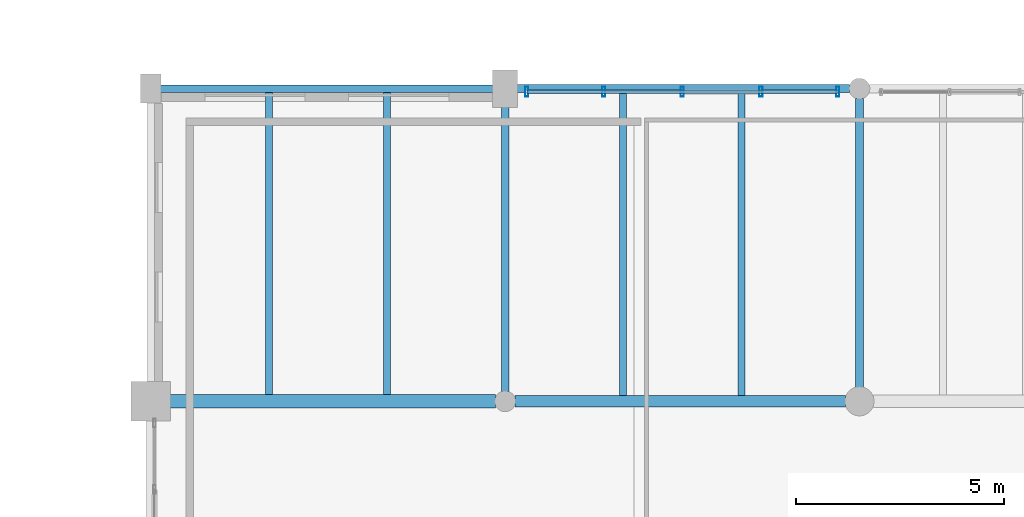
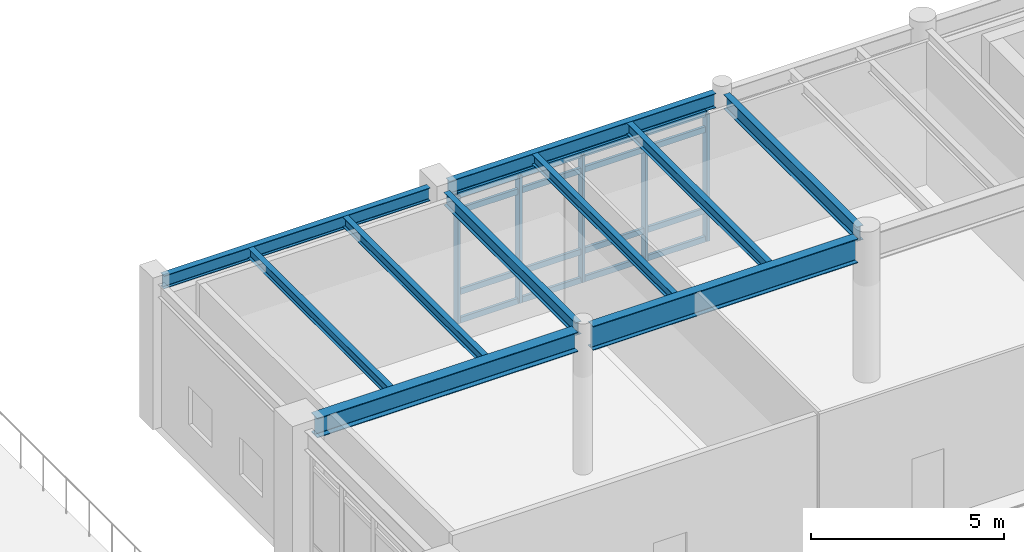
# One storey, part 128 of 200: 10 beams, 9 members, 1 element without a shape of its own.
"""IFC4 building model written with IfcOpenShell, lengths in metres."""

from ifc_helpers import new_model, si_unit, direction, frame, origin, origin_2d, place, context, subcontext, project, spatial, hollow_rectangle, i_section, extrude, material, material_profile, profile_set, type_object, element, aggregate, save


model = new_model("IFC4")

# Units and contexts
model_context = context("Model", 3, precision=1e-05, world=origin(), true_north=direction((0.0, 1.0)))
body_context = subcontext(model_context, "Body", "Model", "MODEL_VIEW")
ifc_project = project(units=[si_unit("LENGTHUNIT", "METRE"), si_unit("AREAUNIT", "SQUARE_METRE"), si_unit("VOLUMEUNIT", "CUBIC_METRE"), si_unit("PLANEANGLEUNIT", "RADIAN"), si_unit("MASSUNIT", "GRAM", prefix="KILO"), si_unit("THERMODYNAMICTEMPERATUREUNIT", "KELVIN"), si_unit("POWERUNIT", "WATT")], contexts=[model_context])

# Site, building, storey
site_placement = place(None, origin())
site = spatial("IfcSite", under=ifc_project, at=site_placement, CompositionType="ELEMENT")
building_placement = place(site_placement, origin())
building = spatial("IfcBuilding", under=site, at=building_placement, Name="Tepalcoro Natatorium and Aquatics Centre", CompositionType="ELEMENT")
storey_placement = place(building_placement, frame((0.0, 0.0, 5.39990234375)))
storey = spatial("IfcBuildingStorey", under=building, at=storey_placement, Name="L01", CompositionType="ELEMENT", Elevation=5.39990234375)

# Beams
ifc_material_1 = material(Name="Steel ASTM A992 Grade 50 (Fy 345 MPa)", Category="steel")
ifc_material_profile_1 = material_profile(ifc_material_1, i_section(OverallWidth=0.177978515625, OverallDepth=0.406005859375, WebThickness=0.008056640625, FlangeThickness=0.012939453125, FilletRadius=0.013916015625, at=origin_2d()), Name="W16X40")
ifc_profile_set_1 = profile_set([ifc_material_profile_1], Name="Steel ASTM A992 Grade 50 (Fy 345 MPa)")
beam_type_1 = type_object("IfcBeamType", Name="BM_W16x40", PredefinedType="BEAM", material=ifc_profile_set_1)
beam_1_placement = place(storey_placement, frame((150.5, 51.735107421875, 4.342041015625), z_axis=(0.0, 1.0, 0.0), x_axis=(-1.0, 0.0, 0.0)))
element("IfcBeam", 1, at=beam_1_placement, inside=storey, type_object=beam_type_1, Name="V2 L01 Grid Girder Y", PredefinedType="BEAM", context=body_context, shape_type="SweptSolid", body=[
    extrude(i_section(OverallWidth=0.177978515625, OverallDepth=0.406005859375, WebThickness=0.008056640625, FlangeThickness=0.012939453125, FilletRadius=0.013916015625, at=origin_2d()), origin(), (0.0, 0.0, 1.0), 6.829833984375),
])
ifc_material_profile_2 = material_profile(ifc_material_1, i_section(OverallWidth=0.19091796875, OverallDepth=0.45703125, WebThickness=0.009033203125, FlangeThickness=0.013916015625, FilletRadius=0.013916015625, at=origin_2d()), Name="W18X50")
ifc_profile_set_2 = profile_set([ifc_material_profile_2], Name="Steel ASTM A992 Grade 50 (Fy 345 MPa)")
beam_type_2 = type_object("IfcBeamType", Name="BM_W18x50", PredefinedType="BEAM", material=ifc_profile_set_2)
beam_2_placement = place(storey_placement, frame((159.0, 51.8349609375, 4.316650390625), z_axis=(0.0, 1.0, 0.0), x_axis=(-1.0, 0.0, 0.0)))
element("IfcBeam", 2, at=beam_2_placement, inside=storey, type_object=beam_type_2, Name="V2 L01 Grid Girder Y", PredefinedType="BEAM", context=body_context, shape_type="SweptSolid", body=[
    extrude(i_section(OverallWidth=0.19091796875, OverallDepth=0.45703125, WebThickness=0.009033203125, FlangeThickness=0.013916015625, FilletRadius=0.013916015625, at=origin_2d()), origin(), (0.0, 0.0, 1.0), 6.929931640625),
])
ifc_material_profile_3 = material_profile(ifc_material_1, i_section(OverallWidth=0.324951171875, OverallDepth=0.616943359375, WebThickness=0.013916015625, FlangeThickness=0.02197265625, FilletRadius=0.013916015625, at=origin_2d()), Name="W24X117")
ifc_profile_set_3 = profile_set([ifc_material_profile_3], Name="Steel ASTM A992 Grade 50 (Fy 345 MPa)")
beam_type_3 = type_object("IfcBeamType", Name="BM_W24x117", PredefinedType="BEAM", material=ifc_profile_set_3)
beam_3_placement = place(storey_placement, frame((142.4599609375, 51.5, 4.236572265625), z_axis=(1.0, 0.0, 0.0), x_axis=(0.0, 1.0, 0.0)))
element("IfcBeam", 3, at=beam_3_placement, inside=storey, type_object=beam_type_3, Name="V2 L01 Grid Girder X", PredefinedType="BEAM", context=body_context, shape_type="SweptSolid", body=[
    extrude(i_section(OverallWidth=0.324951171875, OverallDepth=0.616943359375, WebThickness=0.013916015625, FlangeThickness=0.02197265625, FilletRadius=0.013916015625, at=origin_2d()), origin(), (0.0, 0.0, 1.0), 7.804931640625),
])
ifc_material_profile_4 = material_profile(ifc_material_1, i_section(OverallWidth=0.26708984375, OverallDepth=0.761962890625, WebThickness=0.013916015625, FlangeThickness=0.02197265625, FilletRadius=0.013916015625, at=origin_2d()), Name="W30X116")
ifc_profile_set_4 = profile_set([ifc_material_profile_4], Name="Steel ASTM A992 Grade 50 (Fy 345 MPa)")
beam_type_4 = type_object("IfcBeamType", Name="BM_W30x116", PredefinedType="BEAM", material=ifc_profile_set_4)
beam_4_placement = place(storey_placement, frame((150.735107421875, 51.5, 4.1640625), z_axis=(1.0, 0.0, 0.0), x_axis=(0.0, 1.0, 0.0)))
element("IfcBeam", 4, at=beam_4_placement, inside=storey, type_object=beam_type_4, Name="V2 L01 Grid Girder X", PredefinedType="BEAM", context=body_context, shape_type="SweptSolid", body=[
    extrude(i_section(OverallWidth=0.26708984375, OverallDepth=0.761962890625, WebThickness=0.013916015625, FlangeThickness=0.02197265625, FilletRadius=0.013916015625, at=origin_2d()), origin(), (0.0, 0.0, 1.0), 7.929931640625),
])

# Curtain wall, members
ifc_material_2 = material(Name="Bronze-Anodised Extruded Aluminium Alloy EN AW-6063 T6", Category="aluminium")
curtain_wall_type = type_object("IfcCurtainWallType", Name="CW_LEAN_T1_EW", PredefinedType="USERDEFINED", material=ifc_material_2)
curtain_wall_placement = place(storey_placement, origin())
curtain_wall = element("IfcCurtainWall", 5, at=curtain_wall_placement, inside=storey, type_object=curtain_wall_type, Name="V2 L01 N Unitised Curtain Wall Bay 2", ObjectType="FACETED SOLAR GLAZING", PredefinedType="USERDEFINED")
ifc_material_profile_5 = material_profile(ifc_material_2, hollow_rectangle(XDim=0.080078125, YDim=0.239990234375, WallThickness=0.0048828125, at=origin_2d()), Name="AL80X240X5")
ifc_profile_set_5 = profile_set([ifc_material_profile_5], Name="Bronze-Anodised Extruded Aluminium Alloy EN AW-6063 T6")
member_type_1 = type_object("IfcMemberType", Name="CW_MUL_80x240", PredefinedType="MULLION", material=ifc_profile_set_5)
member_1_placement = place(storey_placement, frame((151.02001953125, 58.9287109375, 0.02001953125), z_axis=(0.0, 0.0, 1.0), x_axis=(1.0, 0.0, 0.0)))
member_1 = element("IfcMember", 6, at=member_1_placement, type_object=member_type_1, Name="CW_LEAN_T1_EW Curtain Wall Mullion", PredefinedType="MULLION", context=body_context, shape_type="SweptSolid", body=[
    extrude(hollow_rectangle(XDim=0.080078125, YDim=0.239990234375, WallThickness=0.0048828125, at=origin_2d()), origin(), (0.0, 0.0, 1.0), 4.030029296875),
])
member_2_placement = place(storey_placement, frame((152.864990234375, 58.9287109375, 0.02001953125), z_axis=(0.0, 0.0, 1.0), x_axis=(1.0, 0.0, 0.0)))
member_2 = element("IfcMember", 7, at=member_2_placement, type_object=member_type_1, Name="CW_LEAN_T1_EW Curtain Wall Mullion", PredefinedType="MULLION", context=body_context, shape_type="SweptSolid", body=[
    extrude(hollow_rectangle(XDim=0.080078125, YDim=0.239990234375, WallThickness=0.0048828125, at=origin_2d()), origin(), (0.0, 0.0, 1.0), 4.030029296875),
])
member_3_placement = place(storey_placement, frame((154.75, 58.9287109375, 0.02001953125), z_axis=(0.0, 0.0, 1.0), x_axis=(1.0, 0.0, 0.0)))
member_3 = element("IfcMember", 8, at=member_3_placement, type_object=member_type_1, Name="CW_LEAN_T1_EW Curtain Wall Mullion", PredefinedType="MULLION", context=body_context, shape_type="SweptSolid", body=[
    extrude(hollow_rectangle(XDim=0.080078125, YDim=0.239990234375, WallThickness=0.0048828125, at=origin_2d()), origin(), (0.0, 0.0, 1.0), 4.030029296875),
])
member_4_placement = place(storey_placement, frame((156.635009765625, 58.9287109375, 0.02001953125), z_axis=(0.0, 0.0, 1.0), x_axis=(1.0, 0.0, 0.0)))
member_4 = element("IfcMember", 9, at=member_4_placement, type_object=member_type_1, Name="CW_LEAN_T1_EW Curtain Wall Mullion", PredefinedType="MULLION", context=body_context, shape_type="SweptSolid", body=[
    extrude(hollow_rectangle(XDim=0.080078125, YDim=0.239990234375, WallThickness=0.0048828125, at=origin_2d()), origin(), (0.0, 0.0, 1.0), 4.030029296875),
])
member_5_placement = place(storey_placement, frame((158.47998046875, 58.9287109375, 0.02001953125), z_axis=(0.0, 0.0, 1.0), x_axis=(1.0, 0.0, 0.0)))
member_5 = element("IfcMember", 10, at=member_5_placement, type_object=member_type_1, Name="CW_LEAN_T1_EW Curtain Wall Mullion", PredefinedType="MULLION", context=body_context, shape_type="SweptSolid", body=[
    extrude(hollow_rectangle(XDim=0.080078125, YDim=0.239990234375, WallThickness=0.0048828125, at=origin_2d()), origin(), (0.0, 0.0, 1.0), 4.030029296875),
])
ifc_material_profile_6 = material_profile(ifc_material_2, hollow_rectangle(XDim=0.080078125, YDim=0.179931640625, WallThickness=0.0048828125, at=origin_2d()), Name="AL80X180X5")
ifc_profile_set_6 = profile_set([ifc_material_profile_6], Name="Bronze-Anodised Extruded Aluminium Alloy EN AW-6063 T6")
member_type_2 = type_object("IfcMemberType", Name="CW_TRN_80x180", PredefinedType="USERDEFINED", material=ifc_profile_set_6)
member_6_placement = place(storey_placement, frame((151.030029296875, 58.9287109375, 0.050048828125), z_axis=(1.0, 0.0, 0.0), x_axis=(0.0, 1.0, 0.0)))
member_6 = element("IfcMember", 11, at=member_6_placement, type_object=member_type_2, Name="CW_LEAN_T1_EW Curtain Wall Transom", ObjectType="TRANSOM", PredefinedType="USERDEFINED", context=body_context, shape_type="SweptSolid", body=[
    extrude(hollow_rectangle(XDim=0.080078125, YDim=0.179931640625, WallThickness=0.0048828125, at=origin_2d()), origin(), (0.0, 0.0, 1.0), 7.43994140625),
])
member_7_placement = place(storey_placement, frame((151.030029296875, 58.9287109375, 0.9501953125), z_axis=(1.0, 0.0, 0.0), x_axis=(0.0, 1.0, 0.0)))
member_7 = element("IfcMember", 12, at=member_7_placement, type_object=member_type_2, Name="CW_LEAN_T1_EW Curtain Wall Transom", ObjectType="TRANSOM", PredefinedType="USERDEFINED", context=body_context, shape_type="SweptSolid", body=[
    extrude(hollow_rectangle(XDim=0.080078125, YDim=0.179931640625, WallThickness=0.0048828125, at=origin_2d()), origin(), (0.0, 0.0, 1.0), 7.43994140625),
])
member_8_placement = place(storey_placement, frame((151.030029296875, 58.9287109375, 3.52001953125), z_axis=(1.0, 0.0, 0.0), x_axis=(0.0, 1.0, 0.0)))
member_8 = element("IfcMember", 13, at=member_8_placement, type_object=member_type_2, Name="CW_LEAN_T1_EW Curtain Wall Transom", ObjectType="TRANSOM", PredefinedType="USERDEFINED", context=body_context, shape_type="SweptSolid", body=[
    extrude(hollow_rectangle(XDim=0.080078125, YDim=0.179931640625, WallThickness=0.0048828125, at=origin_2d()), origin(), (0.0, 0.0, 1.0), 7.43994140625),
])
member_9_placement = place(storey_placement, frame((151.030029296875, 58.9287109375, 4.02001953125), z_axis=(1.0, 0.0, 0.0), x_axis=(0.0, 1.0, 0.0)))
member_9 = element("IfcMember", 14, at=member_9_placement, type_object=member_type_2, Name="CW_LEAN_T1_EW Curtain Wall Transom", ObjectType="TRANSOM", PredefinedType="USERDEFINED", context=body_context, shape_type="SweptSolid", body=[
    extrude(hollow_rectangle(XDim=0.080078125, YDim=0.179931640625, WallThickness=0.0048828125, at=origin_2d()), origin(), (0.0, 0.0, 1.0), 7.43994140625),
])
aggregate(curtain_wall, [member_1, member_2, member_3, member_4, member_5, member_6, member_7, member_8, member_9])

# Beams
ifc_material_profile_7 = material_profile(ifc_material_1, i_section(OverallWidth=0.1650390625, OverallDepth=0.31005859375, WebThickness=0.006103515625, FlangeThickness=0.010009765625, FilletRadius=0.013916015625, at=origin_2d()), Name="W12X26")
ifc_profile_set_7 = profile_set([ifc_material_profile_7], Name="Steel ASTM A992 Grade 50 (Fy 345 MPa)")
beam_type_5 = type_object("IfcBeamType", Name="JS_W12x26", PredefinedType="JOIST", material=ifc_profile_set_7)
beam_5_placement = place(storey_placement, frame((144.833251953125, 51.66259765625, 4.39013671875), z_axis=(0.0, 1.0, 0.0), x_axis=(-1.0, 0.0, 0.0)))
element("IfcBeam", 15, at=beam_5_placement, inside=storey, type_object=beam_type_5, Name="V2 L01 Floor Joist", PredefinedType="JOIST", context=body_context, shape_type="SweptSolid", body=[
    extrude(i_section(OverallWidth=0.1650390625, OverallDepth=0.31005859375, WebThickness=0.006103515625, FlangeThickness=0.010009765625, FilletRadius=0.013916015625, at=origin_2d()), origin(), (0.0, 0.0, 1.0), 7.247314453125),
])
ifc_material_profile_8 = material_profile(ifc_material_1, i_section(OverallWidth=0.1669921875, OverallDepth=0.318115234375, WebThickness=0.008056640625, FlangeThickness=0.012939453125, FilletRadius=0.013916015625, at=origin_2d()), Name="W12X35")
ifc_profile_set_8 = profile_set([ifc_material_profile_8], Name="Steel ASTM A992 Grade 50 (Fy 345 MPa)")
beam_type_6 = type_object("IfcBeamType", Name="JS_W12x35", PredefinedType="JOIST", material=ifc_profile_set_8)
beam_6_placement = place(storey_placement, frame((147.666748046875, 51.66259765625, 4.385986328125), z_axis=(0.0, 1.0, 0.0), x_axis=(-1.0, 0.0, 0.0)))
element("IfcBeam", 16, at=beam_6_placement, inside=storey, type_object=beam_type_6, Name="V2 L01 Floor Joist", PredefinedType="JOIST", context=body_context, shape_type="SweptSolid", body=[
    extrude(i_section(OverallWidth=0.1669921875, OverallDepth=0.318115234375, WebThickness=0.008056640625, FlangeThickness=0.012939453125, FilletRadius=0.013916015625, at=origin_2d()), origin(), (0.0, 0.0, 1.0), 7.247314453125),
])
beam_7_placement = place(storey_placement, frame((153.333251953125, 51.633544921875, 4.385986328125), z_axis=(0.0, 1.0, 0.0), x_axis=(-1.0, 0.0, 0.0)))
element("IfcBeam", 17, at=beam_7_placement, inside=storey, type_object=beam_type_6, Name="V2 L01 Floor Joist", PredefinedType="JOIST", context=body_context, shape_type="SweptSolid", body=[
    extrude(i_section(OverallWidth=0.1669921875, OverallDepth=0.318115234375, WebThickness=0.008056640625, FlangeThickness=0.012939453125, FilletRadius=0.013916015625, at=origin_2d()), origin(), (0.0, 0.0, 1.0), 7.27099609375),
])
ifc_material_profile_9 = material_profile(ifc_material_1, i_section(OverallWidth=0.1708984375, OverallDepth=0.35107421875, WebThickness=0.007080078125, FlangeThickness=0.010009765625, FilletRadius=0.013916015625, at=origin_2d()), Name="W14X30")
ifc_profile_set_9 = profile_set([ifc_material_profile_9], Name="Steel ASTM A992 Grade 50 (Fy 345 MPa)")
beam_type_7 = type_object("IfcBeamType", Name="JS_W14x30", PredefinedType="JOIST", material=ifc_profile_set_9)
beam_8_placement = place(storey_placement, frame((156.166748046875, 51.633544921875, 4.36962890625), z_axis=(0.0, 1.0, 0.0), x_axis=(-1.0, 0.0, 0.0)))
element("IfcBeam", 18, at=beam_8_placement, inside=storey, type_object=beam_type_7, Name="V2 L01 Floor Joist", PredefinedType="JOIST", context=body_context, shape_type="SweptSolid", body=[
    extrude(i_section(OverallWidth=0.1708984375, OverallDepth=0.35107421875, WebThickness=0.007080078125, FlangeThickness=0.010009765625, FilletRadius=0.013916015625, at=origin_2d()), origin(), (0.0, 0.0, 1.0), 7.27099609375),
])
ifc_material_profile_10 = material_profile(ifc_material_1, i_section(OverallWidth=0.179931640625, OverallDepth=0.4130859375, WebThickness=0.010009765625, FlangeThickness=0.01611328125, FilletRadius=0.013916015625, at=origin_2d()), Name="W16X50")
ifc_profile_set_10 = profile_set([ifc_material_profile_10], Name="Steel ASTM A992 Grade 50 (Fy 345 MPa)")
beam_type_8 = type_object("IfcBeamType", Name="SP_HSS300x200x12", PredefinedType="SPANDREL", material=ifc_profile_set_10)
beam_9_placement = place(storey_placement, frame((142.235107421875, 59.0, 4.338623046875), z_axis=(1.0, 0.0, 0.0), x_axis=(0.0, 1.0, 0.0)))
element("IfcBeam", 19, at=beam_9_placement, inside=storey, type_object=beam_type_8, Name="V2 L01 Grid Girder X", PredefinedType="SPANDREL", context=body_context, shape_type="SweptSolid", body=[
    extrude(i_section(OverallWidth=0.179931640625, OverallDepth=0.4130859375, WebThickness=0.010009765625, FlangeThickness=0.01611328125, FilletRadius=0.013916015625, at=origin_2d()), origin(), (0.0, 0.0, 1.0), 7.97998046875),
])
ifc_material_profile_11 = material_profile(ifc_material_1, i_section(OverallWidth=0.19091796875, OverallDepth=0.4599609375, WebThickness=0.010009765625, FlangeThickness=0.01611328125, FilletRadius=0.013916015625, at=origin_2d()), Name="W18X55")
ifc_profile_set_11 = profile_set([ifc_material_profile_11], Name="Steel ASTM A992 Grade 50 (Fy 345 MPa)")
beam_type_9 = type_object("IfcBeamType", Name="SP_W18x55", PredefinedType="SPANDREL", material=ifc_profile_set_11)
beam_10_placement = place(storey_placement, frame((150.784912109375, 59.0, 4.315185546875), z_axis=(1.0, 0.0, 0.0), x_axis=(0.0, 1.0, 0.0)))
element("IfcBeam", 20, at=beam_10_placement, inside=storey, type_object=beam_type_9, Name="V2 L01 Grid Girder X", PredefinedType="SPANDREL", context=body_context, shape_type="SweptSolid", body=[
    extrude(i_section(OverallWidth=0.19091796875, OverallDepth=0.4599609375, WebThickness=0.010009765625, FlangeThickness=0.01611328125, FilletRadius=0.013916015625, at=origin_2d()), origin(), (0.0, 0.0, 1.0), 7.97998046875),
])

save(model, "model.ifc")
